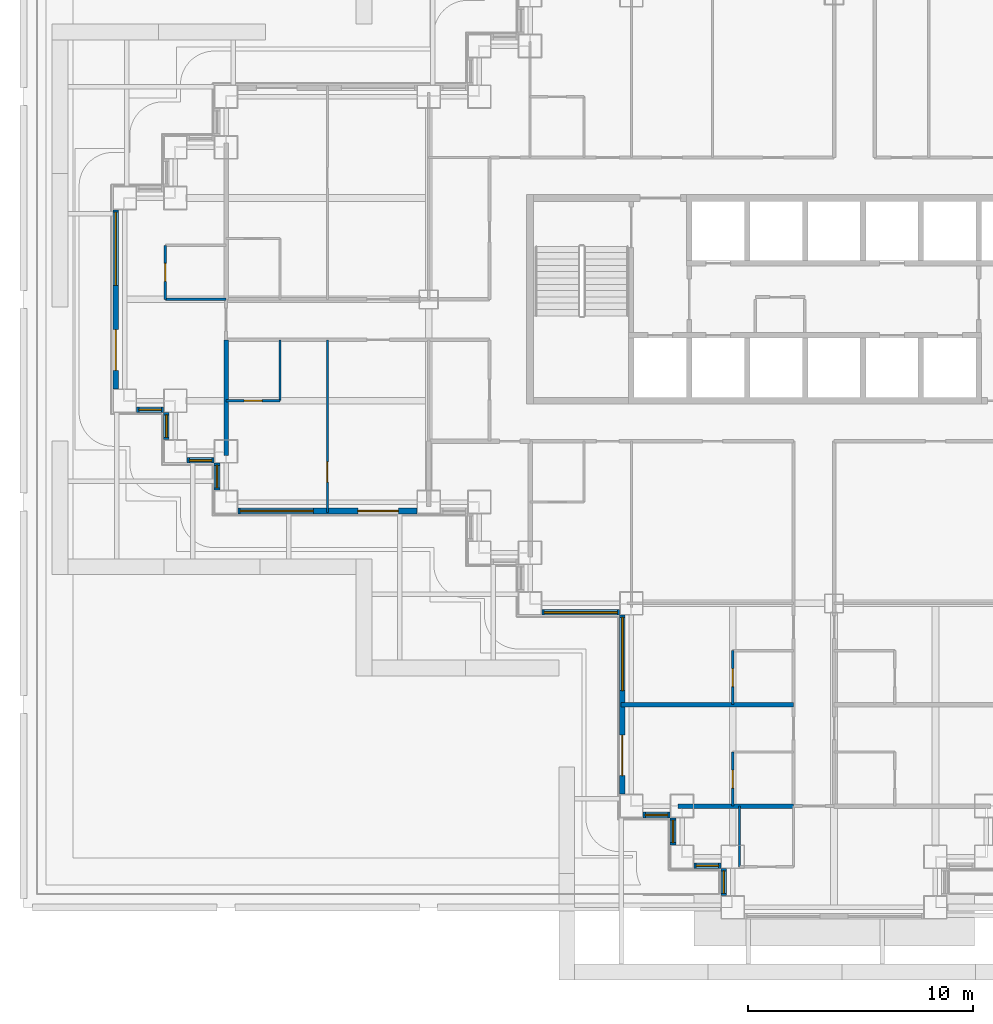
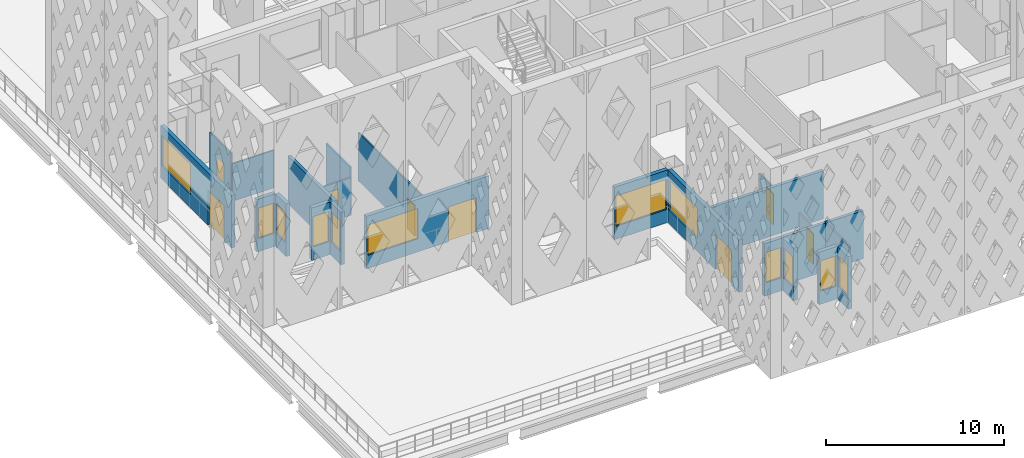
# One storey, part 3 of 26: 23 walls, 12 windows, 8 doors, 20 openings.
"""IFC4 building model written with IfcOpenShell, lengths in metres."""

from ifc_helpers import new_model, si_unit, direction, frame, frame_2d, origin, place, context, subcontext, project, spatial, rectangle, extrude, material, layer, layer_set, type_object, element, fill, save


model = new_model("IFC4")

# Units and contexts
model_context = context("Model", 3, precision=1e-05, world=origin(), true_north=direction((0.0, 1.0)))
body_context = subcontext(model_context, "Body", "Model", "MODEL_VIEW")
ifc_project = project(units=[si_unit("LENGTHUNIT", "METRE"), si_unit("AREAUNIT", "SQUARE_METRE"), si_unit("VOLUMEUNIT", "CUBIC_METRE"), si_unit("PLANEANGLEUNIT", "RADIAN"), si_unit("MASSUNIT", "GRAM", prefix="KILO")], contexts=[model_context])

# Site, building, storey
site_placement = place(None, origin())
site = spatial("IfcSite", under=ifc_project, at=site_placement, CompositionType="ELEMENT")
building_placement = place(site_placement, origin())
building = spatial("IfcBuilding", under=site, at=building_placement, Name="Caravel Reach Hotel and Residences", CompositionType="ELEMENT")
storey_placement = place(building_placement, frame((0.0, 0.0, 33.60009765625)))
storey = spatial("IfcBuildingStorey", under=building, at=storey_placement, Name="L06", CompositionType="ELEMENT", Elevation=33.60009765625)

# Wall, opening, door
ifc_material_1 = material(Name="Gypsum board on steel stud", Category="steel")
ifc_layer_1 = layer(ifc_material_1, 0.10009765625)
ifc_layer_set_1 = layer_set([ifc_layer_1], Name="Bathroom pod wall 100 mm")
wall_type_1 = type_object("IfcWallType", Name="Bathroom pod wall 100 mm", PredefinedType="PARTITIONING", material=ifc_layer_set_1)
wall_1_placement = place(storey_placement, frame((4.5, 22.5, 0.0), z_axis=(0.0, 0.0, 1.0), x_axis=(1.0, 0.0, 0.0)))
wall_1 = element("IfcWall", 1, at=wall_1_placement, inside=storey, type_object=wall_type_1, Name="L06 wall w084", PredefinedType="PARTITIONING", context=body_context, shape_type="SweptSolid", body=[
    extrude(rectangle(XDim=2.39990234375, YDim=0.10009765625, at=frame_2d((1.199951171875, 0.0))), origin(), (0.0, 0.0, 1.0), 2.579833984375),
])
opening_1_placement = place(wall_1_placement, frame((0.800048828125, 0.0, 0.0)))
opening_1 = element("IfcOpeningElement", 2, at=opening_1_placement, cuts=wall_1, Name="Opening D06-017", PredefinedType="OPENING", context=body_context, shape_type="SweptSolid", body=[
    extrude(rectangle(XDim=0.800048828125, YDim=2.10009765625, at=frame_2d((0.39990234375, 1.050048828125))), frame((0.0, 0.06005859375, 0.0), z_axis=(0.0, -1.0, 0.0), x_axis=(1.0, 0.0, 0.0)), (0.0, 0.0, 1.0), 0.1201171875),
])
ifc_material_2 = material(Name="Timber and steel door leaf", Category="steel")
door_type_1 = type_object("IfcDoorType", Name="Bathroom door 800 x 2100", OperationType="SINGLE_SWING_LEFT", PredefinedType="DOOR", material=ifc_material_2)
door_1_placement = place(opening_1_placement, origin())
door_1 = element("IfcDoor", 3, at=door_1_placement, inside=storey, type_object=door_type_1, Name="door D06-017", OperationType="SINGLE_SWING_RIGHT", OverallHeight=2.10009765625, OverallWidth=0.800048828125, PredefinedType="DOOR", context=body_context, shape_type="SweptSolid", body=[
    extrude(rectangle(XDim=0.800048828125, YDim=2.10009765625, at=frame_2d((0.39990234375, 1.050048828125))), frame((0.0, 0.02490234375, 0.0), z_axis=(0.0, -1.0, 0.0), x_axis=(1.0, 0.0, 0.0)), (0.0, 0.0, 1.0), 0.050048828125),
])
fill(opening_1, door_1)

# Wall
wall_2_placement = place(storey_placement, frame((1.800048828125, 27.0, 0.0), z_axis=(0.0, 0.0, 1.0), x_axis=(1.0, 0.0, 0.0)))
element("IfcWall", 4, at=wall_2_placement, inside=storey, type_object=wall_type_1, Name="L06 wall w086", PredefinedType="PARTITIONING", context=body_context, shape_type="SweptSolid", body=[
    extrude(rectangle(XDim=2.699951171875, YDim=0.10009765625, at=frame_2d((1.35009765625, 0.0))), origin(), (0.0, 0.0, 1.0), 2.579833984375),
])

# Wall, opening, door
wall_3_placement = place(storey_placement, frame((1.800048828125, 27.0, 0.0), z_axis=(0.0, 0.0, 1.0), x_axis=(0.0, 1.0, 0.0)))
wall_3 = element("IfcWall", 5, at=wall_3_placement, inside=storey, type_object=wall_type_1, Name="L06 wall w096", PredefinedType="PARTITIONING", context=body_context, shape_type="SweptSolid", body=[
    extrude(rectangle(XDim=2.39990234375, YDim=0.10009765625, at=frame_2d((1.199951171875, 0.0))), origin(), (0.0, 0.0, 1.0), 3.2998046875),
])
opening_2_placement = place(wall_3_placement, frame((0.800048828125, 0.0, 0.0)))
opening_2 = element("IfcOpeningElement", 6, at=opening_2_placement, cuts=wall_3, Name="Opening D06-038", PredefinedType="OPENING", context=body_context, shape_type="SweptSolid", body=[
    extrude(rectangle(XDim=0.800048828125, YDim=2.10009765625, at=frame_2d((0.39990234375, 1.050048828125))), frame((0.0, 0.06005859375, 0.0), z_axis=(0.0, -1.0, 0.0), x_axis=(1.0, 0.0, 0.0)), (0.0, 0.0, 1.0), 0.1201171875),
])
door_2_placement = place(opening_2_placement, origin())
door_2 = element("IfcDoor", 7, at=door_2_placement, inside=storey, type_object=door_type_1, Name="door D06-038", OperationType="SINGLE_SWING_LEFT", OverallHeight=2.10009765625, OverallWidth=0.800048828125, PredefinedType="DOOR", context=body_context, shape_type="SweptSolid", body=[
    extrude(rectangle(XDim=0.800048828125, YDim=2.10009765625, at=frame_2d((0.39990234375, 1.050048828125))), frame((0.0, 0.02490234375, 0.0), z_axis=(0.0, -1.0, 0.0), x_axis=(1.0, 0.0, 0.0)), (0.0, 0.0, 1.0), 0.050048828125),
])
fill(opening_2, door_2)

wall_4_placement = place(storey_placement, frame((27.0, 9.0, 0.0), z_axis=(0.0, 0.0, 1.0), x_axis=(0.0, 1.0, 0.0)))
wall_4 = element("IfcWall", 8, at=wall_4_placement, inside=storey, type_object=wall_type_1, Name="L06 wall w099", PredefinedType="PARTITIONING", context=body_context, shape_type="SweptSolid", body=[
    extrude(rectangle(XDim=2.39990234375, YDim=0.10009765625, at=frame_2d((1.199951171875, 0.0))), origin(), (0.0, 0.0, 1.0), 2.579833984375),
])
opening_3_placement = place(wall_4_placement, frame((0.800048828125, 0.0, 0.0)))
opening_3 = element("IfcOpeningElement", 9, at=opening_3_placement, cuts=wall_4, Name="Opening D06-030", PredefinedType="OPENING", context=body_context, shape_type="SweptSolid", body=[
    extrude(rectangle(XDim=0.800048828125, YDim=2.10009765625, at=frame_2d((0.39990234375, 1.050048828125))), frame((0.0, 0.06005859375, 0.0), z_axis=(0.0, -1.0, 0.0), x_axis=(1.0, 0.0, 0.0)), (0.0, 0.0, 1.0), 0.1201171875),
])
door_3_placement = place(opening_3_placement, origin())
door_3 = element("IfcDoor", 10, at=door_3_placement, inside=storey, type_object=door_type_1, Name="door D06-030", OperationType="SINGLE_SWING_RIGHT", OverallHeight=2.10009765625, OverallWidth=0.800048828125, PredefinedType="DOOR", context=body_context, shape_type="SweptSolid", body=[
    extrude(rectangle(XDim=0.800048828125, YDim=2.10009765625, at=frame_2d((0.39990234375, 1.050048828125))), frame((0.0, 0.02490234375, 0.0), z_axis=(0.0, -1.0, 0.0), x_axis=(1.0, 0.0, 0.0)), (0.0, 0.0, 1.0), 0.050048828125),
])
fill(opening_3, door_3)

wall_5_placement = place(storey_placement, frame((27.0, 4.5, 0.0), z_axis=(0.0, 0.0, 1.0), x_axis=(0.0, 1.0, 0.0)))
wall_5 = element("IfcWall", 11, at=wall_5_placement, inside=storey, type_object=wall_type_1, Name="L06 wall w100", PredefinedType="PARTITIONING", context=body_context, shape_type="SweptSolid", body=[
    extrude(rectangle(XDim=2.39990234375, YDim=0.10009765625, at=frame_2d((1.199951171875, 0.0))), origin(), (0.0, 0.0, 1.0), 2.579833984375),
])
opening_4_placement = place(wall_5_placement, frame((0.800048828125, 0.0, 0.0)))
opening_4 = element("IfcOpeningElement", 12, at=opening_4_placement, cuts=wall_5, Name="Opening D06-032", PredefinedType="OPENING", context=body_context, shape_type="SweptSolid", body=[
    extrude(rectangle(XDim=0.800048828125, YDim=2.10009765625, at=frame_2d((0.39990234375, 1.050048828125))), frame((0.0, 0.06005859375, 0.0), z_axis=(0.0, -1.0, 0.0), x_axis=(1.0, 0.0, 0.0)), (0.0, 0.0, 1.0), 0.1201171875),
])
door_4_placement = place(opening_4_placement, origin())
door_4 = element("IfcDoor", 13, at=door_4_placement, inside=storey, type_object=door_type_1, Name="door D06-032", OperationType="SINGLE_SWING_LEFT", OverallHeight=2.10009765625, OverallWidth=0.800048828125, PredefinedType="DOOR", context=body_context, shape_type="SweptSolid", body=[
    extrude(rectangle(XDim=0.800048828125, YDim=2.10009765625, at=frame_2d((0.39990234375, 1.050048828125))), frame((0.0, 0.02490234375, 0.0), z_axis=(0.0, -1.0, 0.0), x_axis=(1.0, 0.0, 0.0)), (0.0, 0.0, 1.0), 0.050048828125),
])
fill(opening_4, door_4)

# Walls
for number, where, z_axis, x_axis, name in (
    (14, (27.300048828125, 1.800048828125, 0.0), (0.0, 0.0, 1.0), (0.0, 1.0, 0.0), "L06 wall w101"),
    (15, (6.89990234375, 22.5, 0.0), (0.0, 0.0, 1.0), (0.0, 1.0, 0.0), "L06 wall w112"),
):
    element("IfcWall", number, at=place(storey_placement, frame(where, z_axis=z_axis, x_axis=x_axis)), inside=storey, type_object=wall_type_1, Name=name, PredefinedType="PARTITIONING", context=body_context, shape_type="SweptSolid", body=[
        extrude(rectangle(XDim=2.699951171875, YDim=0.10009765625, at=frame_2d((1.35009765625, 0.0))), origin(), (0.0, 0.0, 1.0), 3.2998046875),
    ])

# Wall, opening, window
ifc_material_3 = material(Name="Insulated rainscreen wall, aluminium cladding", Category="aluminium")
ifc_layer_2 = layer(ifc_material_3, 0.25)
ifc_layer_set_2 = layer_set([ifc_layer_2], Name="EW1 Tower rainscreen wall")
wall_type_2 = type_object("IfcWallType", Name="EW1 Tower rainscreen wall", PredefinedType="SOLIDWALL", material=ifc_layer_set_2)
wall_6_placement = place(storey_placement, frame((23.02490234375, 4.10009765625, 0.0), z_axis=(0.0, 0.0, 1.0), x_axis=(1.0, 0.0, 0.0)))
wall_6 = element("IfcWall", 16, at=wall_6_placement, inside=storey, type_object=wall_type_2, Name="External wall L06 S1.1", PredefinedType="SOLIDWALL", context=body_context, shape_type="SweptSolid", body=[
    extrude(rectangle(XDim=1.2001953125, YDim=0.25, at=frame_2d((0.60009765625, 0.0))), origin(), (0.0, 0.0, 1.0), 3.599853515625),
])
opening_5_placement = place(wall_6_placement, frame((0.10009765625, 0.0, 0.89990234375)))
opening_5 = element("IfcOpeningElement", 17, at=opening_5_placement, cuts=wall_6, Name="Opening WN1", PredefinedType="OPENING", context=body_context, shape_type="SweptSolid", body=[
    extrude(rectangle(XDim=1.0, YDim=2.080078125, at=frame_2d((0.5, 1.0400390625))), frame((0.0, 0.135009765625, 0.0), z_axis=(0.0, -1.0, 0.0), x_axis=(1.0, 0.0, 0.0)), (0.0, 0.0, 1.0), 0.27001953125),
])
ifc_material_4 = material(Name="Dark low-e glazing in black aluminium frame", Category="aluminium")
window_type_1 = type_object("IfcWindowType", Name="Hotel suite corner window 1000 x 2080", PartitioningType="SINGLE_PANEL", PredefinedType="WINDOW", material=ifc_material_4)
window_1_placement = place(opening_5_placement, origin())
window_1 = element("IfcWindow", 18, at=window_1_placement, inside=storey, type_object=window_type_1, Name="Window L06 S1.1.1", OverallHeight=2.080078125, OverallWidth=1.0, PartitioningType="SINGLE_PANEL", PredefinedType="WINDOW", context=body_context, shape_type="SweptSolid", body=[
    extrude(rectangle(XDim=1.0, YDim=2.080078125, at=frame_2d((0.5, 1.0400390625))), frame((0.0, 0.030029296875, 0.0), z_axis=(0.0, -1.0, 0.0), x_axis=(1.0, 0.0, 0.0)), (0.0, 0.0, 1.0), 0.06005859375),
])
fill(opening_5, window_1)

wall_7_placement = place(storey_placement, frame((24.35009765625, 3.97509765625, 0.0), z_axis=(0.0, 0.0, 1.0), x_axis=(0.0, -1.0, 0.0)))
wall_7 = element("IfcWall", 19, at=wall_7_placement, inside=storey, type_object=wall_type_2, Name="External wall L06 W2.1", PredefinedType="SOLIDWALL", context=body_context, shape_type="SweptSolid", body=[
    extrude(rectangle(XDim=1.2001953125, YDim=0.25, at=frame_2d((0.60009765625, 0.0))), origin(), (0.0, 0.0, 1.0), 3.599853515625),
])
opening_6_placement = place(wall_7_placement, frame((0.10009765625, 0.0, 0.89990234375)))
opening_6 = element("IfcOpeningElement", 20, at=opening_6_placement, cuts=wall_7, Name="Opening WN1", PredefinedType="OPENING", context=body_context, shape_type="SweptSolid", body=[
    extrude(rectangle(XDim=1.0, YDim=2.080078125, at=frame_2d((0.5, 1.0400390625))), frame((0.0, 0.135009765625, 0.0), z_axis=(0.0, -1.0, 0.0), x_axis=(1.0, 0.0, 0.0)), (0.0, 0.0, 1.0), 0.27001953125),
])
window_2_placement = place(opening_6_placement, origin())
window_2 = element("IfcWindow", 21, at=window_2_placement, inside=storey, type_object=window_type_1, Name="Window L06 W2.1.1", OverallHeight=2.080078125, OverallWidth=1.0, PartitioningType="SINGLE_PANEL", PredefinedType="WINDOW", context=body_context, shape_type="SweptSolid", body=[
    extrude(rectangle(XDim=1.0, YDim=2.080078125, at=frame_2d((0.5, 1.0400390625))), frame((0.0, 0.030029296875, 0.0), z_axis=(0.0, -1.0, 0.0), x_axis=(1.0, 0.0, 0.0)), (0.0, 0.0, 1.0), 0.06005859375),
])
fill(opening_6, window_2)

wall_8_placement = place(storey_placement, frame((25.27490234375, 1.85009765625, 0.0), z_axis=(0.0, 0.0, 1.0), x_axis=(1.0, 0.0, 0.0)))
wall_8 = element("IfcWall", 22, at=wall_8_placement, inside=storey, type_object=wall_type_2, Name="External wall L06 S3.1", PredefinedType="SOLIDWALL", context=body_context, shape_type="SweptSolid", body=[
    extrude(rectangle(XDim=1.2001953125, YDim=0.25, at=frame_2d((0.60009765625, 0.0))), origin(), (0.0, 0.0, 1.0), 3.599853515625),
])
opening_7_placement = place(wall_8_placement, frame((0.10009765625, 0.0, 0.89990234375)))
opening_7 = element("IfcOpeningElement", 23, at=opening_7_placement, cuts=wall_8, Name="Opening WN1", PredefinedType="OPENING", context=body_context, shape_type="SweptSolid", body=[
    extrude(rectangle(XDim=1.0, YDim=2.080078125, at=frame_2d((0.5, 1.0400390625))), frame((0.0, 0.135009765625, 0.0), z_axis=(0.0, -1.0, 0.0), x_axis=(1.0, 0.0, 0.0)), (0.0, 0.0, 1.0), 0.27001953125),
])
window_3_placement = place(opening_7_placement, origin())
window_3 = element("IfcWindow", 24, at=window_3_placement, inside=storey, type_object=window_type_1, Name="Window L06 S3.1.1", OverallHeight=2.080078125, OverallWidth=1.0, PartitioningType="SINGLE_PANEL", PredefinedType="WINDOW", context=body_context, shape_type="SweptSolid", body=[
    extrude(rectangle(XDim=1.0, YDim=2.080078125, at=frame_2d((0.5, 1.0400390625))), frame((0.0, 0.030029296875, 0.0), z_axis=(0.0, -1.0, 0.0), x_axis=(1.0, 0.0, 0.0)), (0.0, 0.0, 1.0), 0.06005859375),
])
fill(opening_7, window_3)

wall_9_placement = place(storey_placement, frame((26.60009765625, 1.72509765625, 0.0), z_axis=(0.0, 0.0, 1.0), x_axis=(0.0, -1.0, 0.0)))
wall_9 = element("IfcWall", 25, at=wall_9_placement, inside=storey, type_object=wall_type_2, Name="External wall L06 W4.1", PredefinedType="SOLIDWALL", context=body_context, shape_type="SweptSolid", body=[
    extrude(rectangle(XDim=1.2001953125, YDim=0.25, at=frame_2d((0.60009765625, 0.0))), origin(), (0.0, 0.0, 1.0), 3.599853515625),
])
opening_8_placement = place(wall_9_placement, frame((0.10009765625, 0.0, 0.89990234375)))
opening_8 = element("IfcOpeningElement", 26, at=opening_8_placement, cuts=wall_9, Name="Opening WN1", PredefinedType="OPENING", context=body_context, shape_type="SweptSolid", body=[
    extrude(rectangle(XDim=1.0, YDim=2.080078125, at=frame_2d((0.5, 1.0400390625))), frame((0.0, 0.135009765625, 0.0), z_axis=(0.0, -1.0, 0.0), x_axis=(1.0, 0.0, 0.0)), (0.0, 0.0, 1.0), 0.27001953125),
])
window_4_placement = place(opening_8_placement, origin())
window_4 = element("IfcWindow", 27, at=window_4_placement, inside=storey, type_object=window_type_1, Name="Window L06 W4.1.1", OverallHeight=2.080078125, OverallWidth=1.0, PartitioningType="SINGLE_PANEL", PredefinedType="WINDOW", context=body_context, shape_type="SweptSolid", body=[
    extrude(rectangle(XDim=1.0, YDim=2.080078125, at=frame_2d((0.5, 1.0400390625))), frame((0.0, 0.030029296875, 0.0), z_axis=(0.0, -1.0, 0.0), x_axis=(1.0, 0.0, 0.0)), (0.0, 0.0, 1.0), 0.06005859375),
])
fill(opening_8, window_4)

# Wall, openings, window, door
wall_10_placement = place(storey_placement, frame((-0.39990234375, 30.97509765625, 0.0), z_axis=(0.0, 0.0, 1.0), x_axis=(0.0, -1.0, 0.0)))
wall_10 = element("IfcWall", 28, at=wall_10_placement, inside=storey, type_object=wall_type_2, Name="External wall L06 W50.1", PredefinedType="SOLIDWALL", context=body_context, shape_type="SweptSolid", body=[
    extrude(rectangle(XDim=7.9501953125, YDim=0.25, at=frame_2d((3.97509765625, 0.0))), origin(), (0.0, 0.0, 1.0), 3.599853515625),
])
opening_9_placement = place(wall_10_placement, frame((0.10009765625, 0.0, 0.89990234375)))
opening_9 = element("IfcOpeningElement", 29, at=opening_9_placement, cuts=wall_10, Name="Opening WN2", PredefinedType="OPENING", context=body_context, shape_type="SweptSolid", body=[
    extrude(rectangle(XDim=3.25, YDim=2.080078125, at=frame_2d((1.625, 1.0400390625))), frame((0.0, 0.135009765625, 0.0), z_axis=(0.0, -1.0, 0.0), x_axis=(1.0, 0.0, 0.0)), (0.0, 0.0, 1.0), 0.27001953125),
])
opening_10_placement = place(wall_10_placement, frame((5.324951171875, 0.0, 0.0)))
opening_10 = element("IfcOpeningElement", 30, at=opening_10_placement, cuts=wall_10, Name="Opening D06-808", PredefinedType="OPENING", context=body_context, shape_type="SweptSolid", body=[
    extrude(rectangle(XDim=1.800048828125, YDim=2.39990234375, at=frame_2d((0.89990234375, 1.199951171875))), frame((0.0, 0.135009765625, 0.0), z_axis=(0.0, -1.0, 0.0), x_axis=(1.0, 0.0, 0.0)), (0.0, 0.0, 1.0), 0.27001953125),
])
ifc_material_5 = material(Name="Dark low-e glazing in black aluminium frame", Category="aluminium")
window_type_2 = type_object("IfcWindowType", Name="Hotel guest room window 3250 x 2080", PartitioningType="SINGLE_PANEL", PredefinedType="WINDOW", material=ifc_material_5)
window_5_placement = place(opening_9_placement, origin())
window_5 = element("IfcWindow", 31, at=window_5_placement, inside=storey, type_object=window_type_2, Name="Window L06 W50.1.1", OverallHeight=2.080078125, OverallWidth=3.25, PartitioningType="SINGLE_PANEL", PredefinedType="WINDOW", context=body_context, shape_type="SweptSolid", body=[
    extrude(rectangle(XDim=3.25, YDim=2.080078125, at=frame_2d((1.625, 1.0400390625))), frame((0.0, 0.030029296875, 0.0), z_axis=(0.0, -1.0, 0.0), x_axis=(1.0, 0.0, 0.0)), (0.0, 0.0, 1.0), 0.06005859375),
])
fill(opening_9, window_5)
ifc_material_6 = material(Name="Dark glazed door in black aluminium frame", Category="aluminium")
door_type_2 = type_object("IfcDoorType", Name="Terrace door 1800 x 2400", OperationType="DOUBLE_DOOR_SINGLE_SWING", PredefinedType="DOOR", material=ifc_material_6)
door_5_placement = place(opening_10_placement, origin())
door_5 = element("IfcDoor", 32, at=door_5_placement, inside=storey, type_object=door_type_2, Name="Door D06-808", OperationType="DOUBLE_DOOR_SINGLE_SWING", OverallHeight=2.39990234375, OverallWidth=1.800048828125, PredefinedType="DOOR", context=body_context, shape_type="SweptSolid", body=[
    extrude(rectangle(XDim=1.800048828125, YDim=2.39990234375, at=frame_2d((0.89990234375, 1.199951171875))), frame((0.0, 0.02490234375, 0.0), z_axis=(0.0, -1.0, 0.0), x_axis=(1.0, 0.0, 0.0)), (0.0, 0.0, 1.0), 0.050048828125),
])
fill(opening_10, door_5)

# Wall, opening, window
wall_11_placement = place(storey_placement, frame((0.52490234375, 22.10009765625, 0.0), z_axis=(0.0, 0.0, 1.0), x_axis=(1.0, 0.0, 0.0)))
wall_11 = element("IfcWall", 33, at=wall_11_placement, inside=storey, type_object=wall_type_2, Name="External wall L06 S51.1", PredefinedType="SOLIDWALL", context=body_context, shape_type="SweptSolid", body=[
    extrude(rectangle(XDim=1.2001953125, YDim=0.25, at=frame_2d((0.60009765625, 0.0))), origin(), (0.0, 0.0, 1.0), 3.599853515625),
])
opening_11_placement = place(wall_11_placement, frame((0.10009765625, 0.0, 0.89990234375)))
opening_11 = element("IfcOpeningElement", 34, at=opening_11_placement, cuts=wall_11, Name="Opening WN1", PredefinedType="OPENING", context=body_context, shape_type="SweptSolid", body=[
    extrude(rectangle(XDim=1.0, YDim=2.080078125, at=frame_2d((0.5, 1.0400390625))), frame((0.0, 0.135009765625, 0.0), z_axis=(0.0, -1.0, 0.0), x_axis=(1.0, 0.0, 0.0)), (0.0, 0.0, 1.0), 0.27001953125),
])
window_6_placement = place(opening_11_placement, origin())
window_6 = element("IfcWindow", 35, at=window_6_placement, inside=storey, type_object=window_type_1, Name="Window L06 S51.1.1", OverallHeight=2.080078125, OverallWidth=1.0, PartitioningType="SINGLE_PANEL", PredefinedType="WINDOW", context=body_context, shape_type="SweptSolid", body=[
    extrude(rectangle(XDim=1.0, YDim=2.080078125, at=frame_2d((0.5, 1.0400390625))), frame((0.0, 0.030029296875, 0.0), z_axis=(0.0, -1.0, 0.0), x_axis=(1.0, 0.0, 0.0)), (0.0, 0.0, 1.0), 0.06005859375),
])
fill(opening_11, window_6)

wall_12_placement = place(storey_placement, frame((1.85009765625, 21.97509765625, 0.0), z_axis=(0.0, 0.0, 1.0), x_axis=(0.0, -1.0, 0.0)))
wall_12 = element("IfcWall", 36, at=wall_12_placement, inside=storey, type_object=wall_type_2, Name="External wall L06 W52.1", PredefinedType="SOLIDWALL", context=body_context, shape_type="SweptSolid", body=[
    extrude(rectangle(XDim=1.2001953125, YDim=0.25, at=frame_2d((0.60009765625, 0.0))), origin(), (0.0, 0.0, 1.0), 3.599853515625),
])
opening_12_placement = place(wall_12_placement, frame((0.10009765625, 0.0, 0.89990234375)))
opening_12 = element("IfcOpeningElement", 37, at=opening_12_placement, cuts=wall_12, Name="Opening WN1", PredefinedType="OPENING", context=body_context, shape_type="SweptSolid", body=[
    extrude(rectangle(XDim=1.0, YDim=2.080078125, at=frame_2d((0.5, 1.0400390625))), frame((0.0, 0.135009765625, 0.0), z_axis=(0.0, -1.0, 0.0), x_axis=(1.0, 0.0, 0.0)), (0.0, 0.0, 1.0), 0.27001953125),
])
window_7_placement = place(opening_12_placement, origin())
window_7 = element("IfcWindow", 38, at=window_7_placement, inside=storey, type_object=window_type_1, Name="Window L06 W52.1.1", OverallHeight=2.080078125, OverallWidth=1.0, PartitioningType="SINGLE_PANEL", PredefinedType="WINDOW", context=body_context, shape_type="SweptSolid", body=[
    extrude(rectangle(XDim=1.0, YDim=2.080078125, at=frame_2d((0.5, 1.0400390625))), frame((0.0, 0.030029296875, 0.0), z_axis=(0.0, -1.0, 0.0), x_axis=(1.0, 0.0, 0.0)), (0.0, 0.0, 1.0), 0.06005859375),
])
fill(opening_12, window_7)

wall_13_placement = place(storey_placement, frame((2.77490234375, 19.85009765625, 0.0), z_axis=(0.0, 0.0, 1.0), x_axis=(1.0, 0.0, 0.0)))
wall_13 = element("IfcWall", 39, at=wall_13_placement, inside=storey, type_object=wall_type_2, Name="External wall L06 S53.1", PredefinedType="SOLIDWALL", context=body_context, shape_type="SweptSolid", body=[
    extrude(rectangle(XDim=1.2001953125, YDim=0.25, at=frame_2d((0.60009765625, 0.0))), origin(), (0.0, 0.0, 1.0), 3.599853515625),
])
opening_13_placement = place(wall_13_placement, frame((0.10009765625, 0.0, 0.89990234375)))
opening_13 = element("IfcOpeningElement", 40, at=opening_13_placement, cuts=wall_13, Name="Opening WN1", PredefinedType="OPENING", context=body_context, shape_type="SweptSolid", body=[
    extrude(rectangle(XDim=1.0, YDim=2.080078125, at=frame_2d((0.5, 1.0400390625))), frame((0.0, 0.135009765625, 0.0), z_axis=(0.0, -1.0, 0.0), x_axis=(1.0, 0.0, 0.0)), (0.0, 0.0, 1.0), 0.27001953125),
])
window_8_placement = place(opening_13_placement, origin())
window_8 = element("IfcWindow", 41, at=window_8_placement, inside=storey, type_object=window_type_1, Name="Window L06 S53.1.1", OverallHeight=2.080078125, OverallWidth=1.0, PartitioningType="SINGLE_PANEL", PredefinedType="WINDOW", context=body_context, shape_type="SweptSolid", body=[
    extrude(rectangle(XDim=1.0, YDim=2.080078125, at=frame_2d((0.5, 1.0400390625))), frame((0.0, 0.030029296875, 0.0), z_axis=(0.0, -1.0, 0.0), x_axis=(1.0, 0.0, 0.0)), (0.0, 0.0, 1.0), 0.06005859375),
])
fill(opening_13, window_8)

wall_14_placement = place(storey_placement, frame((4.10009765625, 19.72509765625, 0.0), z_axis=(0.0, 0.0, 1.0), x_axis=(0.0, -1.0, 0.0)))
wall_14 = element("IfcWall", 42, at=wall_14_placement, inside=storey, type_object=wall_type_2, Name="External wall L06 W54.1", PredefinedType="SOLIDWALL", context=body_context, shape_type="SweptSolid", body=[
    extrude(rectangle(XDim=1.2001953125, YDim=0.25, at=frame_2d((0.60009765625, 0.0))), origin(), (0.0, 0.0, 1.0), 3.599853515625),
])
opening_14_placement = place(wall_14_placement, frame((0.10009765625, 0.0, 0.89990234375)))
opening_14 = element("IfcOpeningElement", 43, at=opening_14_placement, cuts=wall_14, Name="Opening WN1", PredefinedType="OPENING", context=body_context, shape_type="SweptSolid", body=[
    extrude(rectangle(XDim=1.0, YDim=2.080078125, at=frame_2d((0.5, 1.0400390625))), frame((0.0, 0.135009765625, 0.0), z_axis=(0.0, -1.0, 0.0), x_axis=(1.0, 0.0, 0.0)), (0.0, 0.0, 1.0), 0.27001953125),
])
window_9_placement = place(opening_14_placement, origin())
window_9 = element("IfcWindow", 44, at=window_9_placement, inside=storey, type_object=window_type_1, Name="Window L06 W54.1.1", OverallHeight=2.080078125, OverallWidth=1.0, PartitioningType="SINGLE_PANEL", PredefinedType="WINDOW", context=body_context, shape_type="SweptSolid", body=[
    extrude(rectangle(XDim=1.0, YDim=2.080078125, at=frame_2d((0.5, 1.0400390625))), frame((0.0, 0.030029296875, 0.0), z_axis=(0.0, -1.0, 0.0), x_axis=(1.0, 0.0, 0.0)), (0.0, 0.0, 1.0), 0.06005859375),
])
fill(opening_14, window_9)

# Wall, openings, window, door
wall_15_placement = place(storey_placement, frame((5.02490234375, 17.60009765625, 0.0), z_axis=(0.0, 0.0, 1.0), x_axis=(1.0, 0.0, 0.0)))
wall_15 = element("IfcWall", 45, at=wall_15_placement, inside=storey, type_object=wall_type_2, Name="External wall L06 S55.1", PredefinedType="SOLIDWALL", context=body_context, shape_type="SweptSolid", body=[
    extrude(rectangle(XDim=7.9501953125, YDim=0.25, at=frame_2d((3.97509765625, 0.0))), origin(), (0.0, 0.0, 1.0), 3.599853515625),
])
opening_15_placement = place(wall_15_placement, frame((0.10009765625, 0.0, 0.89990234375)))
opening_15 = element("IfcOpeningElement", 46, at=opening_15_placement, cuts=wall_15, Name="Opening WN2", PredefinedType="OPENING", context=body_context, shape_type="SweptSolid", body=[
    extrude(rectangle(XDim=3.25, YDim=2.080078125, at=frame_2d((1.625, 1.0400390625))), frame((0.0, 0.135009765625, 0.0), z_axis=(0.0, -1.0, 0.0), x_axis=(1.0, 0.0, 0.0)), (0.0, 0.0, 1.0), 0.27001953125),
])
opening_16_placement = place(wall_15_placement, frame((5.324951171875, 0.0, 0.0)))
opening_16 = element("IfcOpeningElement", 47, at=opening_16_placement, cuts=wall_15, Name="Opening D06-809", PredefinedType="OPENING", context=body_context, shape_type="SweptSolid", body=[
    extrude(rectangle(XDim=1.800048828125, YDim=2.39990234375, at=frame_2d((0.89990234375, 1.199951171875))), frame((0.0, 0.135009765625, 0.0), z_axis=(0.0, -1.0, 0.0), x_axis=(1.0, 0.0, 0.0)), (0.0, 0.0, 1.0), 0.27001953125),
])
window_10_placement = place(opening_15_placement, origin())
window_10 = element("IfcWindow", 48, at=window_10_placement, inside=storey, type_object=window_type_2, Name="Window L06 S55.1.1", OverallHeight=2.080078125, OverallWidth=3.25, PartitioningType="SINGLE_PANEL", PredefinedType="WINDOW", context=body_context, shape_type="SweptSolid", body=[
    extrude(rectangle(XDim=3.25, YDim=2.080078125, at=frame_2d((1.625, 1.0400390625))), frame((0.0, 0.030029296875, 0.0), z_axis=(0.0, -1.0, 0.0), x_axis=(1.0, 0.0, 0.0)), (0.0, 0.0, 1.0), 0.06005859375),
])
fill(opening_15, window_10)
door_6_placement = place(opening_16_placement, origin())
door_6 = element("IfcDoor", 49, at=door_6_placement, inside=storey, type_object=door_type_2, Name="Door D06-809", OperationType="DOUBLE_DOOR_SINGLE_SWING", OverallHeight=2.39990234375, OverallWidth=1.800048828125, PredefinedType="DOOR", context=body_context, shape_type="SweptSolid", body=[
    extrude(rectangle(XDim=1.800048828125, YDim=2.39990234375, at=frame_2d((0.89990234375, 1.199951171875))), frame((0.0, 0.02490234375, 0.0), z_axis=(0.0, -1.0, 0.0), x_axis=(1.0, 0.0, 0.0)), (0.0, 0.0, 1.0), 0.050048828125),
])
fill(opening_16, door_6)

# Wall, opening, window
wall_16_placement = place(storey_placement, frame((18.52490234375, 13.10009765625, 0.0), z_axis=(0.0, 0.0, 1.0), x_axis=(1.0, 0.0, 0.0)))
wall_16 = element("IfcWall", 50, at=wall_16_placement, inside=storey, type_object=wall_type_2, Name="External wall L06 S59.1", PredefinedType="SOLIDWALL", context=body_context, shape_type="SweptSolid", body=[
    extrude(rectangle(XDim=3.4501953125, YDim=0.25, at=frame_2d((1.72509765625, 0.0))), origin(), (0.0, 0.0, 1.0), 3.599853515625),
])
opening_17_placement = place(wall_16_placement, frame((0.10009765625, 0.0, 0.89990234375)))
opening_17 = element("IfcOpeningElement", 51, at=opening_17_placement, cuts=wall_16, Name="Opening WN2", PredefinedType="OPENING", context=body_context, shape_type="SweptSolid", body=[
    extrude(rectangle(XDim=3.25, YDim=2.080078125, at=frame_2d((1.625, 1.0400390625))), frame((0.0, 0.135009765625, 0.0), z_axis=(0.0, -1.0, 0.0), x_axis=(1.0, 0.0, 0.0)), (0.0, 0.0, 1.0), 0.27001953125),
])
window_11_placement = place(opening_17_placement, origin())
window_11 = element("IfcWindow", 52, at=window_11_placement, inside=storey, type_object=window_type_2, Name="Window L06 S59.1.1", OverallHeight=2.080078125, OverallWidth=3.25, PartitioningType="SINGLE_PANEL", PredefinedType="WINDOW", context=body_context, shape_type="SweptSolid", body=[
    extrude(rectangle(XDim=3.25, YDim=2.080078125, at=frame_2d((1.625, 1.0400390625))), frame((0.0, 0.030029296875, 0.0), z_axis=(0.0, -1.0, 0.0), x_axis=(1.0, 0.0, 0.0)), (0.0, 0.0, 1.0), 0.06005859375),
])
fill(opening_17, window_11)

# Wall, openings, window, door
wall_17_placement = place(storey_placement, frame((22.10009765625, 12.97509765625, 0.0), z_axis=(0.0, 0.0, 1.0), x_axis=(0.0, -1.0, 0.0)))
wall_17 = element("IfcWall", 53, at=wall_17_placement, inside=storey, type_object=wall_type_2, Name="External wall L06 W60.1", PredefinedType="SOLIDWALL", context=body_context, shape_type="SweptSolid", body=[
    extrude(rectangle(XDim=7.9501953125, YDim=0.25, at=frame_2d((3.97509765625, 0.0))), origin(), (0.0, 0.0, 1.0), 3.599853515625),
])
opening_18_placement = place(wall_17_placement, frame((0.10009765625, 0.0, 0.89990234375)))
opening_18 = element("IfcOpeningElement", 54, at=opening_18_placement, cuts=wall_17, Name="Opening WN2", PredefinedType="OPENING", context=body_context, shape_type="SweptSolid", body=[
    extrude(rectangle(XDim=3.25, YDim=2.080078125, at=frame_2d((1.625, 1.0400390625))), frame((0.0, 0.135009765625, 0.0), z_axis=(0.0, -1.0, 0.0), x_axis=(1.0, 0.0, 0.0)), (0.0, 0.0, 1.0), 0.27001953125),
])
opening_19_placement = place(wall_17_placement, frame((5.324951171875, 0.0, 0.0)))
opening_19 = element("IfcOpeningElement", 55, at=opening_19_placement, cuts=wall_17, Name="Opening D06-810", PredefinedType="OPENING", context=body_context, shape_type="SweptSolid", body=[
    extrude(rectangle(XDim=1.800048828125, YDim=2.39990234375, at=frame_2d((0.89990234375, 1.199951171875))), frame((0.0, 0.135009765625, 0.0), z_axis=(0.0, -1.0, 0.0), x_axis=(1.0, 0.0, 0.0)), (0.0, 0.0, 1.0), 0.27001953125),
])
window_12_placement = place(opening_18_placement, origin())
window_12 = element("IfcWindow", 56, at=window_12_placement, inside=storey, type_object=window_type_2, Name="Window L06 W60.1.1", OverallHeight=2.080078125, OverallWidth=3.25, PartitioningType="SINGLE_PANEL", PredefinedType="WINDOW", context=body_context, shape_type="SweptSolid", body=[
    extrude(rectangle(XDim=3.25, YDim=2.080078125, at=frame_2d((1.625, 1.0400390625))), frame((0.0, 0.030029296875, 0.0), z_axis=(0.0, -1.0, 0.0), x_axis=(1.0, 0.0, 0.0)), (0.0, 0.0, 1.0), 0.06005859375),
])
fill(opening_18, window_12)
door_7_placement = place(opening_19_placement, origin())
door_7 = element("IfcDoor", 57, at=door_7_placement, inside=storey, type_object=door_type_2, Name="Door D06-810", OperationType="DOUBLE_DOOR_SINGLE_SWING", OverallHeight=2.39990234375, OverallWidth=1.800048828125, PredefinedType="DOOR", context=body_context, shape_type="SweptSolid", body=[
    extrude(rectangle(XDim=1.800048828125, YDim=2.39990234375, at=frame_2d((0.89990234375, 1.199951171875))), frame((0.0, 0.02490234375, 0.0), z_axis=(0.0, -1.0, 0.0), x_axis=(1.0, 0.0, 0.0)), (0.0, 0.0, 1.0), 0.050048828125),
])
fill(opening_19, door_7)

# Wall, opening, door
ifc_material_7 = material(Name="Gypsum board on steel stud", Category="steel")
ifc_layer_3 = layer(ifc_material_7, 0.10009765625)
ifc_layer_set_3 = layer_set([ifc_layer_3], Name="Partition 100 mm")
wall_type_3 = type_object("IfcWallType", Name="Partition 100 mm", PredefinedType="PARTITIONING", material=ifc_layer_set_3)
wall_18_placement = place(storey_placement, frame((9.0, 17.534912109375, 0.0), z_axis=(0.0, 0.0, 1.0), x_axis=(0.0, 1.0, 0.0)))
wall_18 = element("IfcWall", 58, at=wall_18_placement, inside=storey, type_object=wall_type_3, Name="L06 wall w072", PredefinedType="PARTITIONING", context=body_context, shape_type="SweptSolid", body=[
    extrude(rectangle(XDim=7.6650390625, YDim=0.10009765625, at=frame_2d((3.83251953125, 0.0))), origin(), (0.0, 0.0, 1.0), 3.2998046875),
])
opening_20_placement = place(wall_18_placement, frame((1.35009765625, 0.0, 0.0)))
opening_20 = element("IfcOpeningElement", 59, at=opening_20_placement, cuts=wall_18, Name="Opening D06-016", PredefinedType="OPENING", context=body_context, shape_type="SweptSolid", body=[
    extrude(rectangle(XDim=0.89990234375, YDim=2.10009765625, at=frame_2d((0.449951171875, 1.050048828125))), frame((0.0, 0.06005859375, 0.0), z_axis=(0.0, -1.0, 0.0), x_axis=(1.0, 0.0, 0.0)), (0.0, 0.0, 1.0), 0.1201171875),
])
ifc_material_8 = material(Name="Timber and steel door leaf", Category="steel")
door_type_3 = type_object("IfcDoorType", Name="Door 900 x 2100 timber", OperationType="SINGLE_SWING_LEFT", PredefinedType="DOOR", material=ifc_material_8)
door_8_placement = place(opening_20_placement, origin())
door_8 = element("IfcDoor", 60, at=door_8_placement, inside=storey, type_object=door_type_3, Name="door D06-016", OperationType="SINGLE_SWING_LEFT", OverallHeight=2.10009765625, OverallWidth=0.89990234375, PredefinedType="DOOR", context=body_context, shape_type="SweptSolid", body=[
    extrude(rectangle(XDim=0.89990234375, YDim=2.10009765625, at=frame_2d((0.449951171875, 1.050048828125))), frame((0.0, 0.02490234375, 0.0), z_axis=(0.0, -1.0, 0.0), x_axis=(1.0, 0.0, 0.0)), (0.0, 0.0, 1.0), 0.050048828125),
])
fill(opening_20, door_8)

# Walls
ifc_material_9 = material(Name="Autoclaved aerated block wall")
ifc_layer_4 = layer(ifc_material_9, 0.199951171875)
ifc_layer_set_4 = layer_set([ifc_layer_4], Name="Party wall 200 mm EI 60")
wall_type_4 = type_object("IfcWallType", Name="Party wall 200 mm EI 60", PredefinedType="PARTITIONING", material=ifc_layer_set_4)
wall_19_placement = place(storey_placement, frame((24.56005859375, 4.5, 0.0), z_axis=(0.0, 0.0, 1.0), x_axis=(1.0, 0.0, 0.0)))
element("IfcWall", 61, at=wall_19_placement, inside=storey, type_object=wall_type_4, Name="L06 wall w074", PredefinedType="PARTITIONING", context=body_context, shape_type="SweptSolid", body=[
    extrude(rectangle(XDim=5.139892578125, YDim=0.199951171875, at=frame_2d((2.56982421875, 0.0))), origin(), (0.0, 0.0, 1.0), 3.2998046875),
])
wall_20_placement = place(storey_placement, frame((22.034912109375, 9.0, 0.0), z_axis=(0.0, 0.0, 1.0), x_axis=(1.0, 0.0, 0.0)))
element("IfcWall", 62, at=wall_20_placement, inside=storey, type_object=wall_type_4, Name="L06 wall w076", PredefinedType="PARTITIONING", context=body_context, shape_type="SweptSolid", body=[
    extrude(rectangle(XDim=7.6650390625, YDim=0.199951171875, at=frame_2d((3.83251953125, 0.0))), origin(), (0.0, 0.0, 1.0), 3.2998046875),
])
wall_21_placement = place(storey_placement, frame((4.5, 20.06005859375, 0.0), z_axis=(0.0, 0.0, 1.0), x_axis=(0.0, 1.0, 0.0)))
element("IfcWall", 63, at=wall_21_placement, inside=storey, type_object=wall_type_4, Name="L06 wall w078", PredefinedType="PARTITIONING", context=body_context, shape_type="SweptSolid", body=[
    extrude(rectangle(XDim=5.139892578125, YDim=0.199951171875, at=frame_2d((2.56982421875, 0.0))), origin(), (0.0, 0.0, 1.0), 3.2998046875),
])

save(model, "model.ifc")
